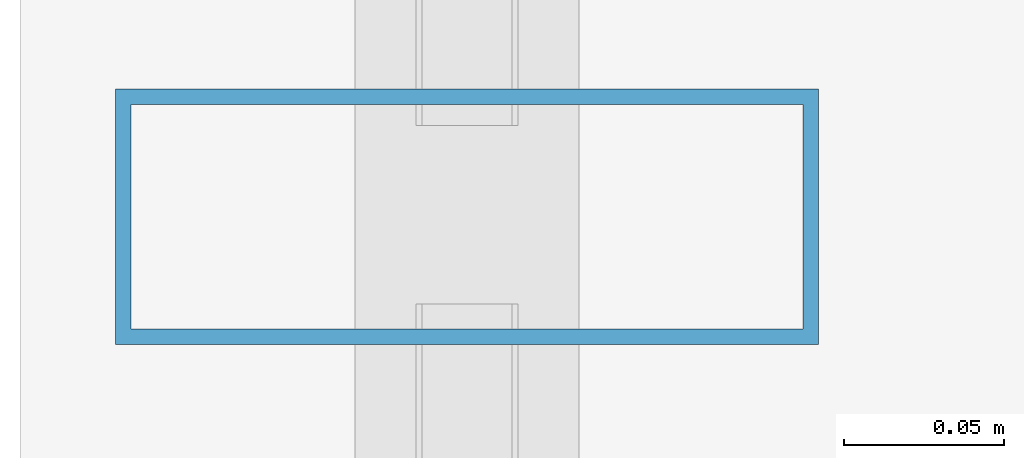
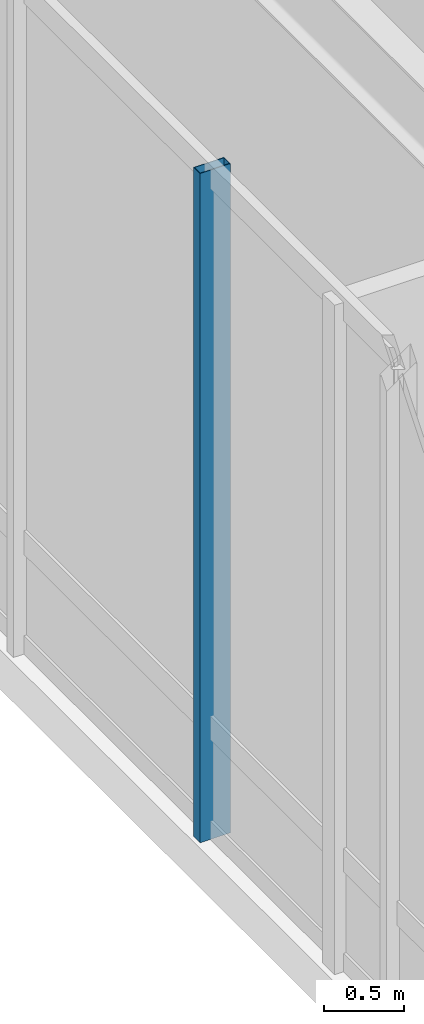
# One storey, part 12 of 35: 1 member, 1 element without a shape of its own.
"""IFC4 building model written with IfcOpenShell, lengths in metres."""

from ifc_helpers import new_model, si_unit, direction, frame, origin, origin_2d, place, context, subcontext, project, spatial, hollow_rectangle, extrude, material, layer, layer_set, material_profile, profile_set, type_object, element, aggregate, save


model = new_model("IFC4")

# Units and contexts
model_context = context("Model", 3, precision=1e-05, world=origin(), true_north=direction((0.0, 1.0)))
body_context = subcontext(model_context, "Body", "Model", "MODEL_VIEW")
ifc_project = project(units=[si_unit("LENGTHUNIT", "METRE"), si_unit("AREAUNIT", "SQUARE_METRE"), si_unit("VOLUMEUNIT", "CUBIC_METRE"), si_unit("PLANEANGLEUNIT", "RADIAN"), si_unit("MASSUNIT", "GRAM", prefix="KILO")], contexts=[model_context])

# Site, building, storey
site_placement = place(None, origin())
site = spatial("IfcSite", under=ifc_project, at=site_placement, CompositionType="ELEMENT")
building_placement = place(site_placement, origin())
building = spatial("IfcBuilding", under=site, at=building_placement, Name="Hatsunagi Terrace Concourse", CompositionType="ELEMENT")
storey_placement = place(building_placement, frame((0.0, 0.0, 16.199951171875)))
storey = spatial("IfcBuildingStorey", under=building, at=storey_placement, Name="L04", CompositionType="ELEMENT", Elevation=16.199951171875)

# Curtain wall, member
ifc_material_1 = material(Name="Anodised Aluminium Alloy 6063-T5", Category="aluminium")
ifc_layer = layer(ifc_material_1, 0.199951171875)
ifc_layer_set = layer_set([ifc_layer], Name="PodiumStorefront_CW01")
curtain_wall_type = type_object("IfcCurtainWallType", Name="PodiumStorefront_CW01", PredefinedType="NOTDEFINED", material=ifc_layer_set)
curtain_wall_placement = place(storey_placement, origin())
curtain_wall = element("IfcCurtainWall", 1, at=curtain_wall_placement, inside=storey, type_object=curtain_wall_type, Name="Unitised Curtain Wall CW-01 CW-L04-10", PredefinedType="NOTDEFINED")
ifc_material_2 = material(Name="Anodised Aluminium Alloy 6063-T5", Category="aluminium")
ifc_material_profile = material_profile(ifc_material_2, hollow_rectangle(XDim=0.080078125, YDim=0.219970703125, WallThickness=0.0048828125, at=origin_2d()), Name="ALU-MUL-220x80x5")
ifc_profile_set = profile_set([ifc_material_profile], Name="Anodised Aluminium Alloy 6063-T5")
member_type = type_object("IfcMemberType", Name="CurtainWallMullion_Heavy_220x80", PredefinedType="MULLION", material=ifc_profile_set)
member_placement = place(storey_placement, frame((0.139892578125, 39.827880859375, 0.0), z_axis=(0.0, 0.0, 1.0), x_axis=(0.0, 1.0, 0.0)))
member = element("IfcMember", 2, at=member_placement, type_object=member_type, Name="Curtain Wall Mullion MUL-01", PredefinedType="MULLION", context=body_context, shape_type="SweptSolid", body=[
    extrude(hollow_rectangle(XDim=0.080078125, YDim=0.219970703125, WallThickness=0.0048828125, at=origin_2d()), origin(), (0.0, 0.0, 1.0), 5.10009765625),
])
aggregate(curtain_wall, [member])

save(model, "model.ifc")
